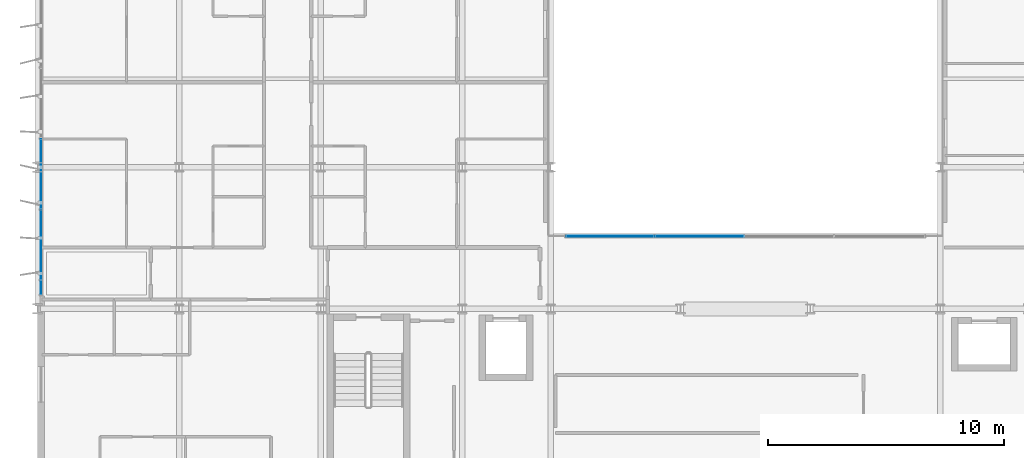
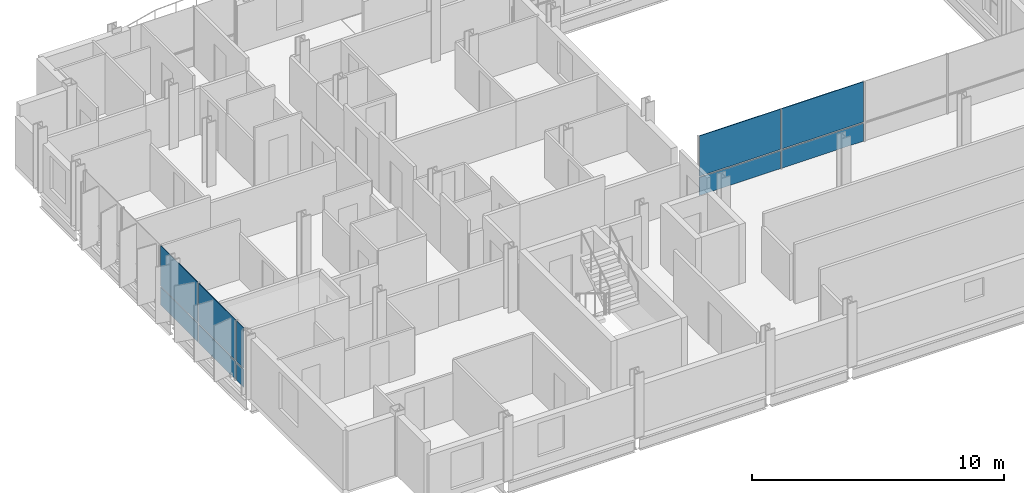
# One storey, part 22 of 39: 10 plates, 2 elements without a shape of their own.
"""IFC4 building model written with IfcOpenShell, lengths in metres."""

from ifc_helpers import new_model, si_unit, direction, frame, origin, origin_2d, place, context, subcontext, project, spatial, rectangle, extrude, material, layer, layer_set, type_object, element, aggregate, save


model = new_model("IFC4")

# Units and contexts
model_context = context("Model", 3, precision=1e-05, world=origin(), true_north=direction((0.0, 1.0)))
body_context = subcontext(model_context, "Body", "Model", "MODEL_VIEW")
ifc_project = project(units=[si_unit("LENGTHUNIT", "METRE"), si_unit("AREAUNIT", "SQUARE_METRE"), si_unit("VOLUMEUNIT", "CUBIC_METRE"), si_unit("PLANEANGLEUNIT", "RADIAN"), si_unit("MASSUNIT", "GRAM", prefix="KILO")], contexts=[model_context])

# Site, building, storey
site_placement = place(None, origin())
site = spatial("IfcSite", under=ifc_project, at=site_placement, CompositionType="ELEMENT")
building_placement = place(site_placement, origin())
building = spatial("IfcBuilding", under=site, at=building_placement, Name="Brevholm Reach", CompositionType="ELEMENT")
storey_placement = place(building_placement, frame((0.0, 0.0, 115.89990234375)))
storey = spatial("IfcBuildingStorey", under=building, at=storey_placement, Name="L34", CompositionType="ELEMENT", Elevation=115.89990234375)

# Curtain wall, plates
ifc_material_1 = material(Name="Dark Anodised Aluminium 6063-T6 and Solar-Control Glass", Category="aluminium")
ifc_layer_1 = layer(ifc_material_1, 0.14990234375)
ifc_layer_set_1 = layer_set([ifc_layer_1], Name="Dark Anodised Aluminium 6063-T6 and Solar-Control Glass")
curtain_wall_type_1 = type_object("IfcCurtainWallType", Name="CW-01", PredefinedType="NOTDEFINED", material=ifc_layer_set_1)
curtain_wall_1_placement = place(storey_placement, origin())
curtain_wall_1 = element("IfcCurtainWall", 1, at=curtain_wall_1_placement, inside=storey, type_object=curtain_wall_type_1, Name="L34 Curtain Wall CW-01", PredefinedType="NOTDEFINED")
ifc_material_2 = material(Name="Dark Solar-Control Double-Glazed IGU Glass", Category="glass")
ifc_layer_2 = layer(ifc_material_2, 0.028076171875)
ifc_layer_set_2 = layer_set([ifc_layer_2], Name="Dark Solar-Control Double-Glazed IGU Glass")
plate_type_1 = type_object("IfcPlateType", Name="CWP-GLZ-28", PredefinedType="CURTAIN_PANEL", material=ifc_layer_set_2)
plate_1_placement = place(storey_placement, frame((0.14990234375, 15.719970703125, 0.0), z_axis=(0.0, 0.0, 1.0), x_axis=(0.0, -1.0, 0.0)))
plate_1 = element("IfcPlate", 2, at=plate_1_placement, type_object=plate_type_1, Name="CP-01 Glazing Panel 3.1", PredefinedType="CURTAIN_PANEL", context=body_context, shape_type="SweptSolid", body=[
    extrude(rectangle(XDim=2.93505859375, YDim=0.028076171875, at=origin_2d()), origin(), (0.0, 0.0, 1.0), 0.867431640625),
])
plate_2_placement = place(storey_placement, frame((0.14990234375, 15.719970703125, 0.9326171875), z_axis=(0.0, 0.0, 1.0), x_axis=(0.0, -1.0, 0.0)))
plate_2 = element("IfcPlate", 3, at=plate_2_placement, type_object=plate_type_1, Name="CP-01 Glazing Panel 3.2", PredefinedType="CURTAIN_PANEL", context=body_context, shape_type="SweptSolid", body=[
    extrude(rectangle(XDim=2.93505859375, YDim=0.028076171875, at=origin_2d()), origin(), (0.0, 0.0, 1.0), 1.947509765625),
])
plate_3_placement = place(storey_placement, frame((0.14990234375, 12.719970703125, 0.0), z_axis=(0.0, 0.0, 1.0), x_axis=(0.0, -1.0, 0.0)))
plate_3 = element("IfcPlate", 4, at=plate_3_placement, type_object=plate_type_1, Name="CP-01 Glazing Panel 4.1", PredefinedType="CURTAIN_PANEL", context=body_context, shape_type="SweptSolid", body=[
    extrude(rectangle(XDim=2.93505859375, YDim=0.028076171875, at=origin_2d()), origin(), (0.0, 0.0, 1.0), 0.867431640625),
])
plate_4_placement = place(storey_placement, frame((0.14990234375, 12.719970703125, 0.9326171875), z_axis=(0.0, 0.0, 1.0), x_axis=(0.0, -1.0, 0.0)))
plate_4 = element("IfcPlate", 5, at=plate_4_placement, type_object=plate_type_1, Name="CP-01 Glazing Panel 4.2", PredefinedType="CURTAIN_PANEL", context=body_context, shape_type="SweptSolid", body=[
    extrude(rectangle(XDim=2.93505859375, YDim=0.028076171875, at=origin_2d()), origin(), (0.0, 0.0, 1.0), 1.947509765625),
])
plate_5_placement = place(storey_placement, frame((0.14990234375, 10.9013671875, 0.0), z_axis=(0.0, 0.0, 1.0), x_axis=(0.0, -1.0, 0.0)))
plate_5 = element("IfcPlate", 6, at=plate_5_placement, type_object=plate_type_1, Name="CP-01 Glazing Panel 5.1", PredefinedType="CURTAIN_PANEL", context=body_context, shape_type="SweptSolid", body=[
    extrude(rectangle(XDim=0.572509765625, YDim=0.028076171875, at=origin_2d()), origin(), (0.0, 0.0, 1.0), 0.867431640625),
])
plate_6_placement = place(storey_placement, frame((0.14990234375, 10.9013671875, 0.9326171875), z_axis=(0.0, 0.0, 1.0), x_axis=(0.0, -1.0, 0.0)))
plate_6 = element("IfcPlate", 7, at=plate_6_placement, type_object=plate_type_1, Name="CP-01 Glazing Panel 5.2", PredefinedType="CURTAIN_PANEL", context=body_context, shape_type="SweptSolid", body=[
    extrude(rectangle(XDim=0.572509765625, YDim=0.028076171875, at=origin_2d()), origin(), (0.0, 0.0, 1.0), 1.947509765625),
])
aggregate(curtain_wall_1, [plate_1, plate_2, plate_3, plate_4, plate_5, plate_6])

ifc_material_3 = material(Name="Dark Anodised Aluminium 6063-T6 and Solar-Control Glass", Category="aluminium")
ifc_layer_3 = layer(ifc_material_3, 0.139892578125)
ifc_layer_set_3 = layer_set([ifc_layer_3], Name="Dark Anodised Aluminium 6063-T6 and Solar-Control Glass")
curtain_wall_type_2 = type_object("IfcCurtainWallType", Name="CW-02", PredefinedType="NOTDEFINED", material=ifc_layer_set_3)
curtain_wall_2_placement = place(storey_placement, origin())
curtain_wall_2 = element("IfcCurtainWall", 8, at=curtain_wall_2_placement, inside=storey, type_object=curtain_wall_type_2, Name="L34 Curtain Wall CW-02", PredefinedType="NOTDEFINED")
ifc_material_4 = material(Name="Low-Iron Laminated Acoustic Glass", Category="glass")
ifc_layer_4 = layer(ifc_material_4, 0.035888671875)
ifc_layer_set_4 = layer_set([ifc_layer_4], Name="Low-Iron Laminated Acoustic Glass")
plate_type_2 = type_object("IfcPlateType", Name="CWP-GLZ-36", PredefinedType="CURTAIN_PANEL", material=ifc_layer_set_4)
plate_7_placement = place(storey_placement, frame((24.264892578125, 13.080078125, 0.0), z_axis=(0.0, 0.0, 1.0), x_axis=(1.0, 0.0, 0.0)))
plate_7 = element("IfcPlate", 9, at=plate_7_placement, type_object=plate_type_2, Name="CP-02 Glazing Panel 1.1", PredefinedType="CURTAIN_PANEL", context=body_context, shape_type="SweptSolid", body=[
    extrude(rectangle(XDim=3.7099609375, YDim=0.035888671875, at=origin_2d()), origin(), (0.0, 0.0, 1.0), 0.8701171875),
])
plate_8_placement = place(storey_placement, frame((24.264892578125, 13.080078125, 0.93017578125), z_axis=(0.0, 0.0, 1.0), x_axis=(1.0, 0.0, 0.0)))
plate_8 = element("IfcPlate", 10, at=plate_8_placement, type_object=plate_type_2, Name="CP-02 Glazing Panel 1.2", PredefinedType="CURTAIN_PANEL", context=body_context, shape_type="SweptSolid", body=[
    extrude(rectangle(XDim=3.7099609375, YDim=0.035888671875, at=origin_2d()), origin(), (0.0, 0.0, 1.0), 1.949951171875),
])
plate_9_placement = place(storey_placement, frame((28.050048828125, 13.080078125, 0.0), z_axis=(0.0, 0.0, 1.0), x_axis=(1.0, 0.0, 0.0)))
plate_9 = element("IfcPlate", 11, at=plate_9_placement, type_object=plate_type_2, Name="CP-02 Glazing Panel 2.1", PredefinedType="CURTAIN_PANEL", context=body_context, shape_type="SweptSolid", body=[
    extrude(rectangle(XDim=3.739990234375, YDim=0.035888671875, at=origin_2d()), origin(), (0.0, 0.0, 1.0), 0.8701171875),
])
plate_10_placement = place(storey_placement, frame((28.050048828125, 13.080078125, 0.93017578125), z_axis=(0.0, 0.0, 1.0), x_axis=(1.0, 0.0, 0.0)))
plate_10 = element("IfcPlate", 12, at=plate_10_placement, type_object=plate_type_2, Name="CP-02 Glazing Panel 2.2", PredefinedType="CURTAIN_PANEL", context=body_context, shape_type="SweptSolid", body=[
    extrude(rectangle(XDim=3.739990234375, YDim=0.035888671875, at=origin_2d()), origin(), (0.0, 0.0, 1.0), 1.949951171875),
])
aggregate(curtain_wall_2, [plate_7, plate_8, plate_9, plate_10])

save(model, "model.ifc")
